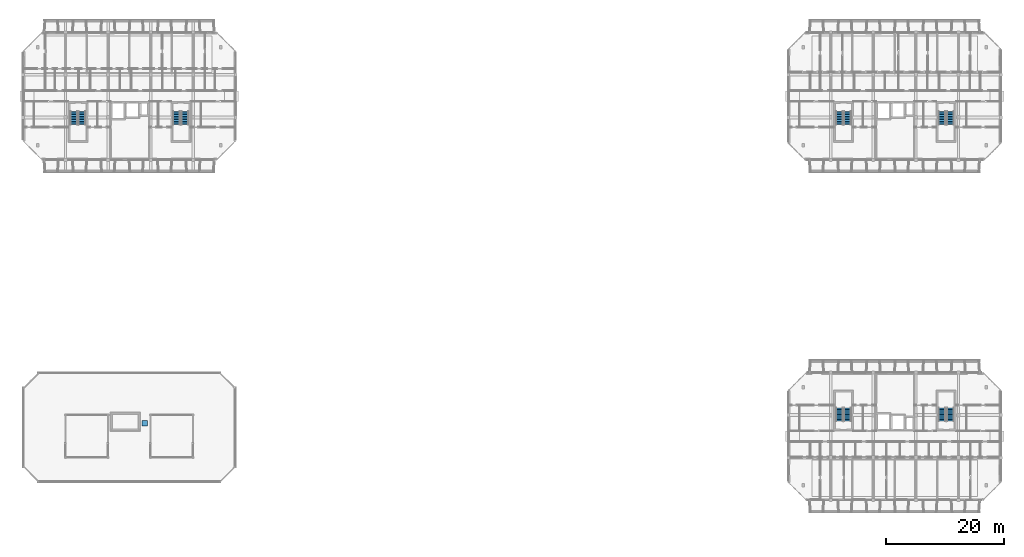
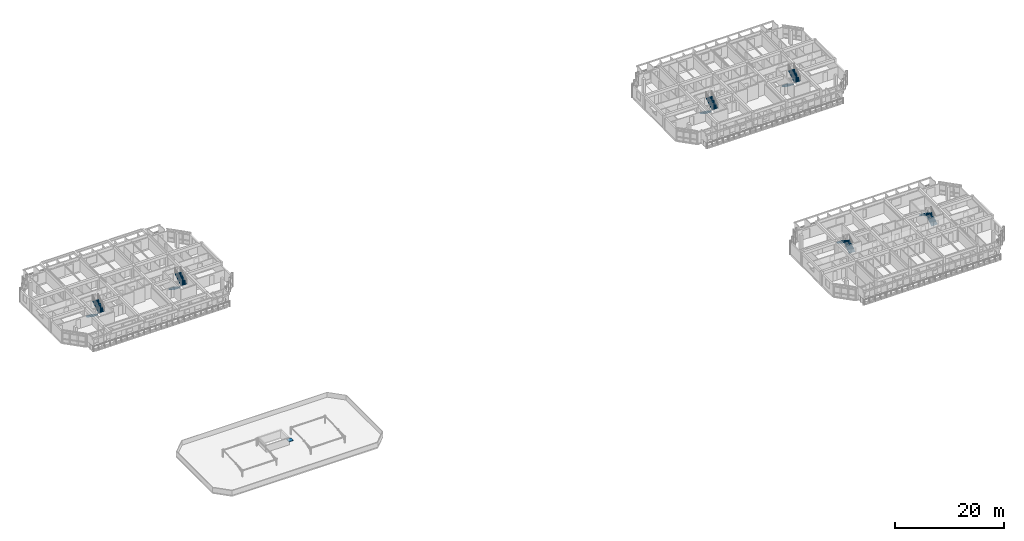
# One storey, part 32 of 43: 12 stair flights, 1 discrete accessory, 6 elements without a shape of their own.
"""IFC4 building model written with IfcOpenShell, lengths in metres."""

from ifc_helpers import new_model, si_unit, direction, frame, origin, origin_2d, place, context, subcontext, project, spatial, polyline, rectangle, outline, extrude, material, type_object, element, aggregate, save


model = new_model("IFC4")

# Units and contexts
model_context = context("Model", 3, precision=1e-05, world=origin(), true_north=direction((0.0, 1.0)))
body_context = subcontext(model_context, "Body", "Model", "MODEL_VIEW")
ifc_project = project(units=[si_unit("LENGTHUNIT", "METRE"), si_unit("AREAUNIT", "SQUARE_METRE"), si_unit("VOLUMEUNIT", "CUBIC_METRE"), si_unit("PLANEANGLEUNIT", "RADIAN"), si_unit("MASSUNIT", "GRAM", prefix="KILO")], contexts=[model_context])

# Site, building, storey
site_placement = place(None, origin())
site = spatial("IfcSite", under=ifc_project, at=site_placement, CompositionType="ELEMENT")
building_placement = place(site_placement, origin())
building = spatial("IfcBuilding", under=site, at=building_placement, Name="Ochrevale Crest", CompositionType="ELEMENT")
storey_placement = place(building_placement, frame((0.0, 0.0, 30.75)))
storey = spatial("IfcBuildingStorey", under=building, at=storey_placement, Name="L09", CompositionType="ELEMENT", Elevation=30.75)

# Stair, stair flights
ifc_material_1 = material(Name="Precast concrete C40/50", Category="concrete")
stair_type = type_object("IfcStairType", Name="ST-CORE-DOG", PredefinedType="HALF_TURN_STAIR", material=ifc_material_1)
stair_1_placement = place(storey_placement, origin())
stair_1 = element("IfcStair", 1, at=stair_1_placement, inside=storey, type_object=stair_type, Name="L09 Block B Fire Stair 1", PredefinedType="HALF_TURN_STAIR")
stair_flight_type = type_object("IfcStairFlightType", Name="SFL-CORE-125", PredefinedType="STRAIGHT", material=ifc_material_1)
stair_flight_1_placement = place(storey_placement, frame((8.625, 80.22509765625, 0.0), z_axis=(0.0, 0.0, 1.0), x_axis=(0.0, -1.0, 0.0)))
stair_flight_1 = element("IfcStairFlight", 2, at=stair_flight_1_placement, type_object=stair_flight_type, Name="ST-B1 flight 1", NumberOfRisers=9, NumberOfTreads=8, PredefinedType="STRAIGHT", RiserHeight=0.175, TreadLength=0.28, context=body_context, shape_type="SweptSolid", body=[
    extrude(outline(polyline([(0.0, 0.0), (0.0, 0.175048828125), (0.280029296875, 0.175048828125), (0.280029296875, 0.35009765625), (0.56005859375, 0.35009765625), (0.56005859375, 0.52490234375), (0.840087890625, 0.52490234375), (0.840087890625, 0.699951171875), (1.1201171875, 0.699951171875), (1.1201171875, 0.875), (1.39990234375, 0.875), (1.39990234375, 1.050048828125), (1.679931640625, 1.050048828125), (1.679931640625, 1.22509765625), (1.9599609375, 1.22509765625), (1.9599609375, 1.39990234375), (2.239990234375, 1.39990234375), (2.239990234375, 1.574951171875), (2.239990234375, 1.22314453125), (0.28271484375, 0.0), (0.0, 0.0)])), frame((0.0, 0.625, 0.0), z_axis=(0.0, -1.0, 0.0), x_axis=(1.0, 0.0, 0.0)), (0.0, 0.0, 1.0), 1.25),
])
stair_flight_2_placement = place(storey_placement, frame((10.02490234375, 77.985107421875, 1.574951171875), z_axis=(0.0, 0.0, 1.0), x_axis=(0.0, 1.0, 0.0)))
stair_flight_2 = element("IfcStairFlight", 3, at=stair_flight_2_placement, type_object=stair_flight_type, Name="ST-B1 flight 2", NumberOfRisers=9, NumberOfTreads=8, PredefinedType="STRAIGHT", RiserHeight=0.175, TreadLength=0.28, context=body_context, shape_type="SweptSolid", body=[
    extrude(outline(polyline([(0.0, 0.0), (0.0, 0.175048828125), (0.280029296875, 0.175048828125), (0.280029296875, 0.35009765625), (0.56005859375, 0.35009765625), (0.56005859375, 0.52490234375), (0.840087890625, 0.52490234375), (0.840087890625, 0.699951171875), (1.1201171875, 0.699951171875), (1.1201171875, 0.875), (1.39990234375, 0.875), (1.39990234375, 1.050048828125), (1.679931640625, 1.050048828125), (1.679931640625, 1.22509765625), (1.9599609375, 1.22509765625), (1.9599609375, 1.39990234375), (2.239990234375, 1.39990234375), (2.239990234375, 1.574951171875), (2.239990234375, 1.22314453125), (0.28271484375, 0.0), (0.0, 0.0)])), frame((0.0, 0.625, 0.0), z_axis=(0.0, -1.0, 0.0), x_axis=(1.0, 0.0, 0.0)), (0.0, 0.0, 1.0), 1.25),
])
aggregate(stair_1, [stair_flight_1, stair_flight_2])

stair_2_placement = place(storey_placement, origin())
stair_2 = element("IfcStair", 4, at=stair_2_placement, inside=storey, type_object=stair_type, Name="L09 Block B Fire Stair 2", PredefinedType="HALF_TURN_STAIR")
stair_flight_3_placement = place(storey_placement, frame((26.02490234375, 80.22509765625, 0.0), z_axis=(0.0, 0.0, 1.0), x_axis=(0.0, -1.0, 0.0)))
stair_flight_3 = element("IfcStairFlight", 5, at=stair_flight_3_placement, type_object=stair_flight_type, Name="ST-B2 flight 1", NumberOfRisers=9, NumberOfTreads=8, PredefinedType="STRAIGHT", RiserHeight=0.175, TreadLength=0.28, context=body_context, shape_type="SweptSolid", body=[
    extrude(outline(polyline([(0.0, 0.0), (0.0, 0.175048828125), (0.280029296875, 0.175048828125), (0.280029296875, 0.35009765625), (0.56005859375, 0.35009765625), (0.56005859375, 0.52490234375), (0.840087890625, 0.52490234375), (0.840087890625, 0.699951171875), (1.1201171875, 0.699951171875), (1.1201171875, 0.875), (1.39990234375, 0.875), (1.39990234375, 1.050048828125), (1.679931640625, 1.050048828125), (1.679931640625, 1.22509765625), (1.9599609375, 1.22509765625), (1.9599609375, 1.39990234375), (2.239990234375, 1.39990234375), (2.239990234375, 1.574951171875), (2.239990234375, 1.22314453125), (0.28271484375, 0.0), (0.0, 0.0)])), frame((0.0, 0.625, 0.0), z_axis=(0.0, -1.0, 0.0), x_axis=(1.0, 0.0, 0.0)), (0.0, 0.0, 1.0), 1.25),
])
stair_flight_4_placement = place(storey_placement, frame((27.425048828125, 77.985107421875, 1.574951171875), z_axis=(0.0, 0.0, 1.0), x_axis=(0.0, 1.0, 0.0)))
stair_flight_4 = element("IfcStairFlight", 6, at=stair_flight_4_placement, type_object=stair_flight_type, Name="ST-B2 flight 2", NumberOfRisers=9, NumberOfTreads=8, PredefinedType="STRAIGHT", RiserHeight=0.175, TreadLength=0.28, context=body_context, shape_type="SweptSolid", body=[
    extrude(outline(polyline([(0.0, 0.0), (0.0, 0.175048828125), (0.280029296875, 0.175048828125), (0.280029296875, 0.35009765625), (0.56005859375, 0.35009765625), (0.56005859375, 0.52490234375), (0.840087890625, 0.52490234375), (0.840087890625, 0.699951171875), (1.1201171875, 0.699951171875), (1.1201171875, 0.875), (1.39990234375, 0.875), (1.39990234375, 1.050048828125), (1.679931640625, 1.050048828125), (1.679931640625, 1.22509765625), (1.9599609375, 1.22509765625), (1.9599609375, 1.39990234375), (2.239990234375, 1.39990234375), (2.239990234375, 1.574951171875), (2.239990234375, 1.22314453125), (0.28271484375, 0.0), (0.0, 0.0)])), frame((0.0, 0.625, 0.0), z_axis=(0.0, -1.0, 0.0), x_axis=(1.0, 0.0, 0.0)), (0.0, 0.0, 1.0), 1.25),
])
aggregate(stair_2, [stair_flight_3, stair_flight_4])

stair_3_placement = place(storey_placement, origin())
stair_3 = element("IfcStair", 7, at=stair_3_placement, inside=storey, type_object=stair_type, Name="L09 Block C Fire Stair 1", PredefinedType="HALF_TURN_STAIR")
stair_flight_5_placement = place(storey_placement, frame((139.625, 27.77490234375, 0.0), z_axis=(0.0, 0.0, 1.0), x_axis=(0.0, 1.0, 0.0)))
stair_flight_5 = element("IfcStairFlight", 8, at=stair_flight_5_placement, type_object=stair_flight_type, Name="ST-C1 flight 1", NumberOfRisers=9, NumberOfTreads=8, PredefinedType="STRAIGHT", RiserHeight=0.175, TreadLength=0.28, context=body_context, shape_type="SweptSolid", body=[
    extrude(outline(polyline([(0.0, 0.0), (0.0, 0.175048828125), (0.280029296875, 0.175048828125), (0.280029296875, 0.35009765625), (0.56005859375, 0.35009765625), (0.56005859375, 0.52490234375), (0.840087890625, 0.52490234375), (0.840087890625, 0.699951171875), (1.1201171875, 0.699951171875), (1.1201171875, 0.875), (1.39990234375, 0.875), (1.39990234375, 1.050048828125), (1.679931640625, 1.050048828125), (1.679931640625, 1.22509765625), (1.9599609375, 1.22509765625), (1.9599609375, 1.39990234375), (2.239990234375, 1.39990234375), (2.239990234375, 1.574951171875), (2.239990234375, 1.22314453125), (0.28271484375, 0.0), (0.0, 0.0)])), frame((0.0, 0.625, 0.0), z_axis=(0.0, -1.0, 0.0), x_axis=(1.0, 0.0, 0.0)), (0.0, 0.0, 1.0), 1.25),
])
stair_flight_6_placement = place(storey_placement, frame((138.22509765625, 30.014892578125, 1.574951171875), z_axis=(0.0, 0.0, 1.0), x_axis=(0.0, -1.0, 0.0)))
stair_flight_6 = element("IfcStairFlight", 9, at=stair_flight_6_placement, type_object=stair_flight_type, Name="ST-C1 flight 2", NumberOfRisers=9, NumberOfTreads=8, PredefinedType="STRAIGHT", RiserHeight=0.175, TreadLength=0.28, context=body_context, shape_type="SweptSolid", body=[
    extrude(outline(polyline([(0.0, 0.0), (0.0, 0.175048828125), (0.280029296875, 0.175048828125), (0.280029296875, 0.35009765625), (0.56005859375, 0.35009765625), (0.56005859375, 0.52490234375), (0.840087890625, 0.52490234375), (0.840087890625, 0.699951171875), (1.1201171875, 0.699951171875), (1.1201171875, 0.875), (1.39990234375, 0.875), (1.39990234375, 1.050048828125), (1.679931640625, 1.050048828125), (1.679931640625, 1.22509765625), (1.9599609375, 1.22509765625), (1.9599609375, 1.39990234375), (2.239990234375, 1.39990234375), (2.239990234375, 1.574951171875), (2.239990234375, 1.22314453125), (0.28271484375, 0.0), (0.0, 0.0)])), frame((0.0, 0.625, 0.0), z_axis=(0.0, -1.0, 0.0), x_axis=(1.0, 0.0, 0.0)), (0.0, 0.0, 1.0), 1.25),
])
aggregate(stair_3, [stair_flight_5, stair_flight_6])

stair_4_placement = place(storey_placement, origin())
stair_4 = element("IfcStair", 10, at=stair_4_placement, inside=storey, type_object=stair_type, Name="L09 Block C Fire Stair 2", PredefinedType="HALF_TURN_STAIR")
stair_flight_7_placement = place(storey_placement, frame((157.02490234375, 27.77490234375, 0.0), z_axis=(0.0, 0.0, 1.0), x_axis=(0.0, 1.0, 0.0)))
stair_flight_7 = element("IfcStairFlight", 11, at=stair_flight_7_placement, type_object=stair_flight_type, Name="ST-C2 flight 1", NumberOfRisers=9, NumberOfTreads=8, PredefinedType="STRAIGHT", RiserHeight=0.175, TreadLength=0.28, context=body_context, shape_type="SweptSolid", body=[
    extrude(outline(polyline([(0.0, 0.0), (0.0, 0.175048828125), (0.280029296875, 0.175048828125), (0.280029296875, 0.35009765625), (0.56005859375, 0.35009765625), (0.56005859375, 0.52490234375), (0.840087890625, 0.52490234375), (0.840087890625, 0.699951171875), (1.1201171875, 0.699951171875), (1.1201171875, 0.875), (1.39990234375, 0.875), (1.39990234375, 1.050048828125), (1.679931640625, 1.050048828125), (1.679931640625, 1.22509765625), (1.9599609375, 1.22509765625), (1.9599609375, 1.39990234375), (2.239990234375, 1.39990234375), (2.239990234375, 1.574951171875), (2.239990234375, 1.22314453125), (0.28271484375, 0.0), (0.0, 0.0)])), frame((0.0, 0.625, 0.0), z_axis=(0.0, -1.0, 0.0), x_axis=(1.0, 0.0, 0.0)), (0.0, 0.0, 1.0), 1.25),
])
stair_flight_8_placement = place(storey_placement, frame((155.625, 30.014892578125, 1.574951171875), z_axis=(0.0, 0.0, 1.0), x_axis=(0.0, -1.0, 0.0)))
stair_flight_8 = element("IfcStairFlight", 12, at=stair_flight_8_placement, type_object=stair_flight_type, Name="ST-C2 flight 2", NumberOfRisers=9, NumberOfTreads=8, PredefinedType="STRAIGHT", RiserHeight=0.175, TreadLength=0.28, context=body_context, shape_type="SweptSolid", body=[
    extrude(outline(polyline([(0.0, 0.0), (0.0, 0.175048828125), (0.280029296875, 0.175048828125), (0.280029296875, 0.35009765625), (0.56005859375, 0.35009765625), (0.56005859375, 0.52490234375), (0.840087890625, 0.52490234375), (0.840087890625, 0.699951171875), (1.1201171875, 0.699951171875), (1.1201171875, 0.875), (1.39990234375, 0.875), (1.39990234375, 1.050048828125), (1.679931640625, 1.050048828125), (1.679931640625, 1.22509765625), (1.9599609375, 1.22509765625), (1.9599609375, 1.39990234375), (2.239990234375, 1.39990234375), (2.239990234375, 1.574951171875), (2.239990234375, 1.22314453125), (0.28271484375, 0.0), (0.0, 0.0)])), frame((0.0, 0.625, 0.0), z_axis=(0.0, -1.0, 0.0), x_axis=(1.0, 0.0, 0.0)), (0.0, 0.0, 1.0), 1.25),
])
aggregate(stair_4, [stair_flight_7, stair_flight_8])

stair_5_placement = place(storey_placement, origin())
stair_5 = element("IfcStair", 13, at=stair_5_placement, inside=storey, type_object=stair_type, Name="L09 Block D Fire Stair 1", PredefinedType="HALF_TURN_STAIR")
stair_flight_9_placement = place(storey_placement, frame((138.22509765625, 80.22509765625, 0.0), z_axis=(0.0, 0.0, 1.0), x_axis=(0.0, -1.0, 0.0)))
stair_flight_9 = element("IfcStairFlight", 14, at=stair_flight_9_placement, type_object=stair_flight_type, Name="ST-D1 flight 1", NumberOfRisers=9, NumberOfTreads=8, PredefinedType="STRAIGHT", RiserHeight=0.175, TreadLength=0.28, context=body_context, shape_type="SweptSolid", body=[
    extrude(outline(polyline([(0.0, 0.0), (0.0, 0.175048828125), (0.280029296875, 0.175048828125), (0.280029296875, 0.35009765625), (0.56005859375, 0.35009765625), (0.56005859375, 0.52490234375), (0.840087890625, 0.52490234375), (0.840087890625, 0.699951171875), (1.1201171875, 0.699951171875), (1.1201171875, 0.875), (1.39990234375, 0.875), (1.39990234375, 1.050048828125), (1.679931640625, 1.050048828125), (1.679931640625, 1.22509765625), (1.9599609375, 1.22509765625), (1.9599609375, 1.39990234375), (2.239990234375, 1.39990234375), (2.239990234375, 1.574951171875), (2.239990234375, 1.22314453125), (0.28271484375, 0.0), (0.0, 0.0)])), frame((0.0, 0.625, 0.0), z_axis=(0.0, -1.0, 0.0), x_axis=(1.0, 0.0, 0.0)), (0.0, 0.0, 1.0), 1.25),
])
stair_flight_10_placement = place(storey_placement, frame((139.625, 77.985107421875, 1.574951171875), z_axis=(0.0, 0.0, 1.0), x_axis=(0.0, 1.0, 0.0)))
stair_flight_10 = element("IfcStairFlight", 15, at=stair_flight_10_placement, type_object=stair_flight_type, Name="ST-D1 flight 2", NumberOfRisers=9, NumberOfTreads=8, PredefinedType="STRAIGHT", RiserHeight=0.175, TreadLength=0.28, context=body_context, shape_type="SweptSolid", body=[
    extrude(outline(polyline([(0.0, 0.0), (0.0, 0.175048828125), (0.280029296875, 0.175048828125), (0.280029296875, 0.35009765625), (0.56005859375, 0.35009765625), (0.56005859375, 0.52490234375), (0.840087890625, 0.52490234375), (0.840087890625, 0.699951171875), (1.1201171875, 0.699951171875), (1.1201171875, 0.875), (1.39990234375, 0.875), (1.39990234375, 1.050048828125), (1.679931640625, 1.050048828125), (1.679931640625, 1.22509765625), (1.9599609375, 1.22509765625), (1.9599609375, 1.39990234375), (2.239990234375, 1.39990234375), (2.239990234375, 1.574951171875), (2.239990234375, 1.22314453125), (0.28271484375, 0.0), (0.0, 0.0)])), frame((0.0, 0.625, 0.0), z_axis=(0.0, -1.0, 0.0), x_axis=(1.0, 0.0, 0.0)), (0.0, 0.0, 1.0), 1.25),
])
aggregate(stair_5, [stair_flight_9, stair_flight_10])

stair_6_placement = place(storey_placement, origin())
stair_6 = element("IfcStair", 16, at=stair_6_placement, inside=storey, type_object=stair_type, Name="L09 Block D Fire Stair 2", PredefinedType="HALF_TURN_STAIR")
stair_flight_11_placement = place(storey_placement, frame((155.625, 80.22509765625, 0.0), z_axis=(0.0, 0.0, 1.0), x_axis=(0.0, -1.0, 0.0)))
stair_flight_11 = element("IfcStairFlight", 17, at=stair_flight_11_placement, type_object=stair_flight_type, Name="ST-D2 flight 1", NumberOfRisers=9, NumberOfTreads=8, PredefinedType="STRAIGHT", RiserHeight=0.175, TreadLength=0.28, context=body_context, shape_type="SweptSolid", body=[
    extrude(outline(polyline([(0.0, 0.0), (0.0, 0.175048828125), (0.280029296875, 0.175048828125), (0.280029296875, 0.35009765625), (0.56005859375, 0.35009765625), (0.56005859375, 0.52490234375), (0.840087890625, 0.52490234375), (0.840087890625, 0.699951171875), (1.1201171875, 0.699951171875), (1.1201171875, 0.875), (1.39990234375, 0.875), (1.39990234375, 1.050048828125), (1.679931640625, 1.050048828125), (1.679931640625, 1.22509765625), (1.9599609375, 1.22509765625), (1.9599609375, 1.39990234375), (2.239990234375, 1.39990234375), (2.239990234375, 1.574951171875), (2.239990234375, 1.22314453125), (0.28271484375, 0.0), (0.0, 0.0)])), frame((0.0, 0.625, 0.0), z_axis=(0.0, -1.0, 0.0), x_axis=(1.0, 0.0, 0.0)), (0.0, 0.0, 1.0), 1.25),
])
stair_flight_12_placement = place(storey_placement, frame((157.02490234375, 77.985107421875, 1.574951171875), z_axis=(0.0, 0.0, 1.0), x_axis=(0.0, 1.0, 0.0)))
stair_flight_12 = element("IfcStairFlight", 18, at=stair_flight_12_placement, type_object=stair_flight_type, Name="ST-D2 flight 2", NumberOfRisers=9, NumberOfTreads=8, PredefinedType="STRAIGHT", RiserHeight=0.175, TreadLength=0.28, context=body_context, shape_type="SweptSolid", body=[
    extrude(outline(polyline([(0.0, 0.0), (0.0, 0.175048828125), (0.280029296875, 0.175048828125), (0.280029296875, 0.35009765625), (0.56005859375, 0.35009765625), (0.56005859375, 0.52490234375), (0.840087890625, 0.52490234375), (0.840087890625, 0.699951171875), (1.1201171875, 0.699951171875), (1.1201171875, 0.875), (1.39990234375, 0.875), (1.39990234375, 1.050048828125), (1.679931640625, 1.050048828125), (1.679931640625, 1.22509765625), (1.9599609375, 1.22509765625), (1.9599609375, 1.39990234375), (2.239990234375, 1.39990234375), (2.239990234375, 1.574951171875), (2.239990234375, 1.22314453125), (0.28271484375, 0.0), (0.0, 0.0)])), frame((0.0, 0.625, 0.0), z_axis=(0.0, -1.0, 0.0), x_axis=(1.0, 0.0, 0.0)), (0.0, 0.0, 1.0), 1.25),
])
aggregate(stair_6, [stair_flight_11, stair_flight_12])

# Discrete accessory
ifc_material_2 = material(Name="Galvanised steel", Category="steel")
discrete_accessory_type = type_object("IfcDiscreteAccessoryType", Name="ACC-ROOF-HATCH", PredefinedType="USERDEFINED", material=ifc_material_2)
discrete_accessory_placement = place(storey_placement, frame((20.574951171875, 27.39990234375, -0.0400390625), z_axis=(0.0, 0.0, 1.0), x_axis=(1.0, 0.0, 0.0)))
element("IfcDiscreteAccessory", 19, at=discrete_accessory_placement, inside=storey, type_object=discrete_accessory_type, Name="Block A L09 roof maintenance access hatch", ObjectType="ROOF_HATCH", PredefinedType="USERDEFINED", context=body_context, shape_type="SweptSolid", body=[
    extrude(rectangle(XDim=0.919921875, YDim=0.919921875, at=origin_2d()), origin(), (0.0, 0.0, 1.0), 0.159912109375),
])

save(model, "model.ifc")
